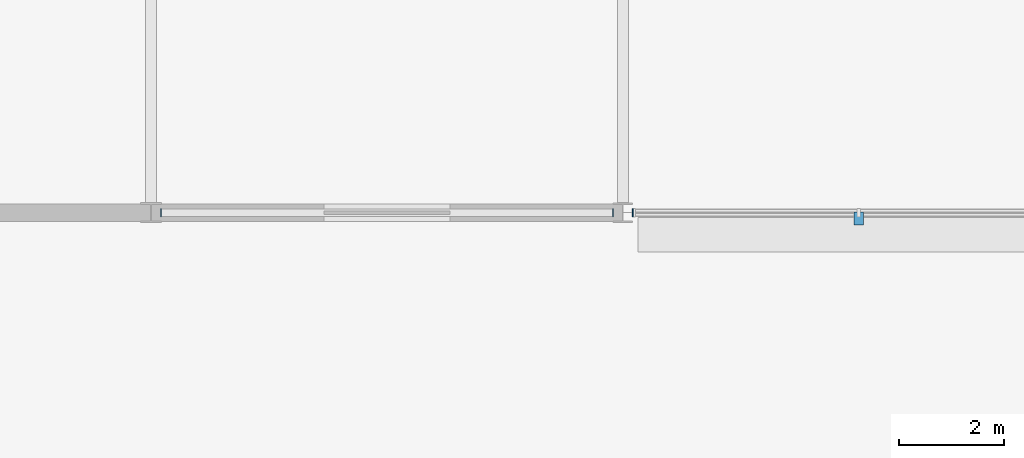
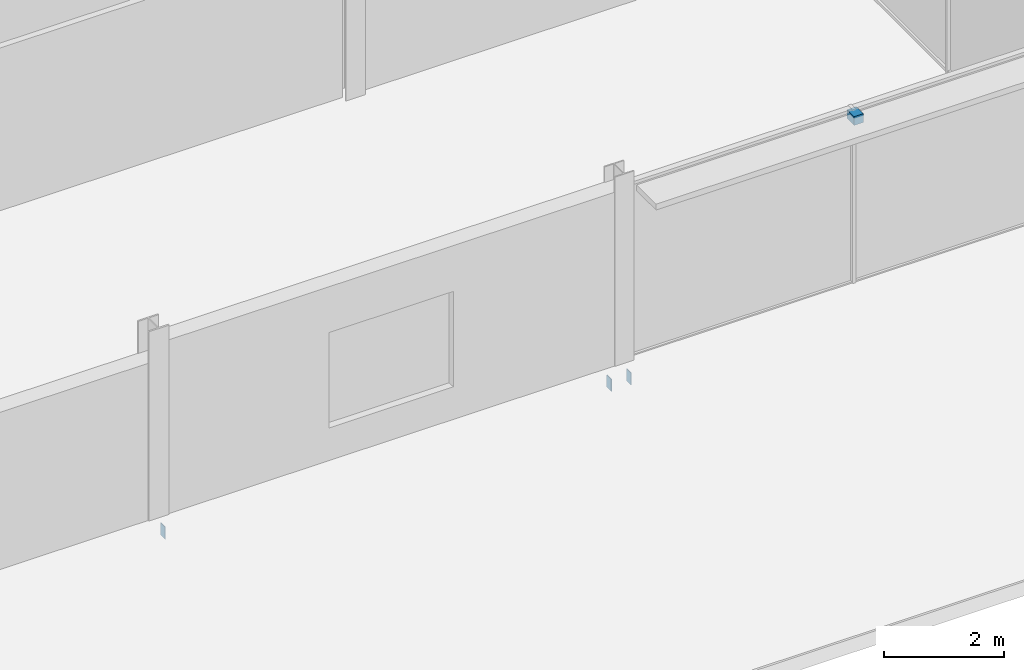
# One storey, part 74 of 105: 4 discrete accessories.
"""IFC4 building model written with IfcOpenShell, lengths in metres."""

from ifc_helpers import new_model, si_unit, direction, frame, origin, origin_2d, place, context, subcontext, project, spatial, polyline, rectangle, outline, extrude, material, layer, layer_set, type_object, element, save


model = new_model("IFC4")

# Units and contexts
model_context = context("Model", 3, precision=1e-05, world=origin(), true_north=direction((0.0, 1.0)))
body_context = subcontext(model_context, "Body", "Model", "MODEL_VIEW")
ifc_project = project(units=[si_unit("LENGTHUNIT", "METRE"), si_unit("AREAUNIT", "SQUARE_METRE"), si_unit("VOLUMEUNIT", "CUBIC_METRE"), si_unit("PLANEANGLEUNIT", "RADIAN"), si_unit("MASSUNIT", "GRAM", prefix="KILO")], contexts=[model_context])

# Site, building, storey
site_placement = place(None, origin())
site = spatial("IfcSite", under=ifc_project, at=site_placement, CompositionType="ELEMENT")
building_placement = place(site_placement, origin())
building = spatial("IfcBuilding", under=site, at=building_placement, Name="Kisiwana Market Hall", CompositionType="ELEMENT")
storey_placement = place(building_placement, frame((0.0, 0.0, 21.60009765625)))
storey = spatial("IfcBuildingStorey", under=building, at=storey_placement, Name="L04", CompositionType="ELEMENT", Elevation=21.60009765625)

# Discrete accessories
ifc_material_1 = material(Name="Steel S355", Category="steel")
discrete_accessory_type_1 = type_object("IfcDiscreteAccessoryType", Name="ACC-BRACKET-STL", PredefinedType="BRACKET", material=ifc_material_1)
discrete_accessory_1_placement = place(storey_placement, frame((40.5, 8.889892578125, 3.375), z_axis=(0.0, 0.0, 1.0), x_axis=(1.0, 0.0, 0.0)))
element("IfcDiscreteAccessory", 1, at=discrete_accessory_1_placement, inside=storey, type_object=discrete_accessory_type_1, Name="Sunshade steel bracket BRK-051", PredefinedType="BRACKET", context=body_context, shape_type="SweptSolid", body=[
    extrude(rectangle(XDim=0.179931640625, YDim=0.239990234375, at=origin_2d()), origin(), (0.0, 0.0, 1.0), 0.179931640625),
])
ifc_material_2 = material(Name="Steel S355", Category="steel")
ifc_layer = layer(ifc_material_2, 0.011962890625)
ifc_layer_set = layer_set([ifc_layer], Name="ACC-ENDCAP-STL")
discrete_accessory_type_2 = type_object("IfcDiscreteAccessoryType", Name="ACC-ENDCAP-STL", PredefinedType="USERDEFINED", material=ifc_layer_set)
discrete_accessory_2_placement = place(storey_placement, frame((0.0, 0.0, -0.5419921875)))
element("IfcDiscreteAccessory", 2, at=discrete_accessory_2_placement, inside=storey, type_object=discrete_accessory_type_2, Name="End cap plate EC-0049", ObjectType="End cap plate", PredefinedType="USERDEFINED", context=body_context, shape_type="SweptSolid", body=[
    extrude(outline(polyline([(35.804443359375, 8.925048828125), (35.81640625, 8.925048828125), (35.81640625, 9.074951171875), (35.804443359375, 9.074951171875), (35.804443359375, 8.925048828125)])), origin(), (0.0, 0.0, 1.0), 0.25),
])
discrete_accessory_3_placement = place(storey_placement, frame((0.0, 0.0, -0.5419921875)))
element("IfcDiscreteAccessory", 3, at=discrete_accessory_3_placement, inside=storey, type_object=discrete_accessory_type_2, Name="End cap plate EC-0050", ObjectType="End cap plate", PredefinedType="USERDEFINED", context=body_context, shape_type="SweptSolid", body=[
    extrude(outline(polyline([(27.195556640625, 8.925048828125), (27.195556640625, 9.074951171875), (27.18359375, 9.074951171875), (27.18359375, 8.925048828125), (27.195556640625, 8.925048828125)])), origin(), (0.0, 0.0, 1.0), 0.25),
])
discrete_accessory_4_placement = place(storey_placement, frame((0.0, 0.0, -0.5419921875)))
element("IfcDiscreteAccessory", 4, at=discrete_accessory_4_placement, inside=storey, type_object=discrete_accessory_type_2, Name="End cap plate EC-0051", ObjectType="End cap plate", PredefinedType="USERDEFINED", context=body_context, shape_type="SweptSolid", body=[
    extrude(outline(polyline([(36.195556640625, 8.925048828125), (36.195556640625, 9.074951171875), (36.18359375, 9.074951171875), (36.18359375, 8.925048828125), (36.195556640625, 8.925048828125)])), origin(), (0.0, 0.0, 1.0), 0.25),
])

save(model, "model.ifc")
